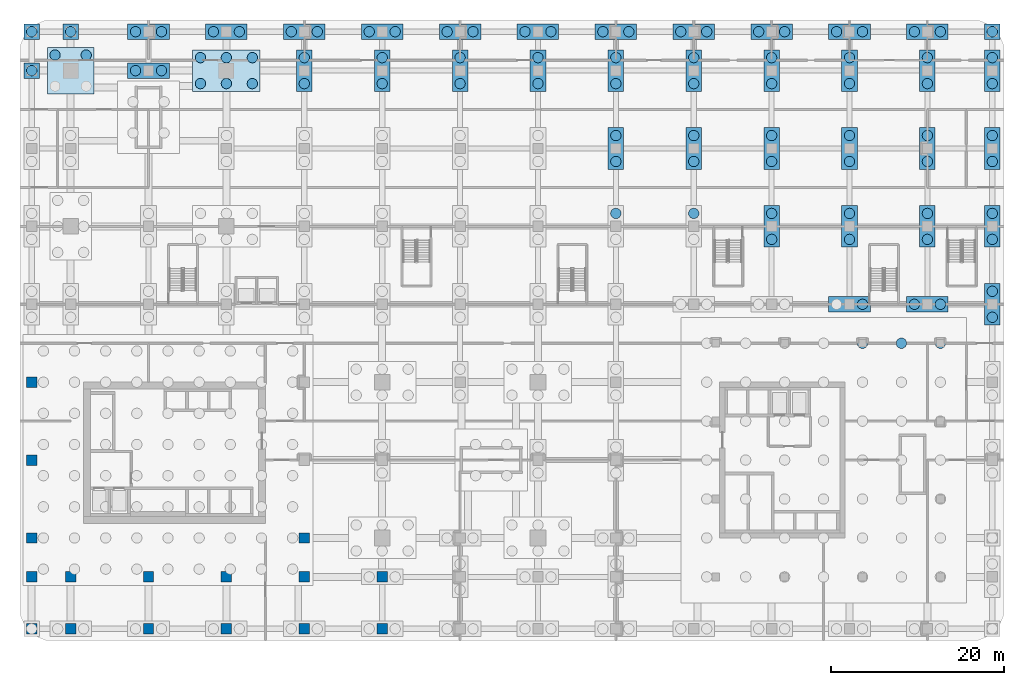
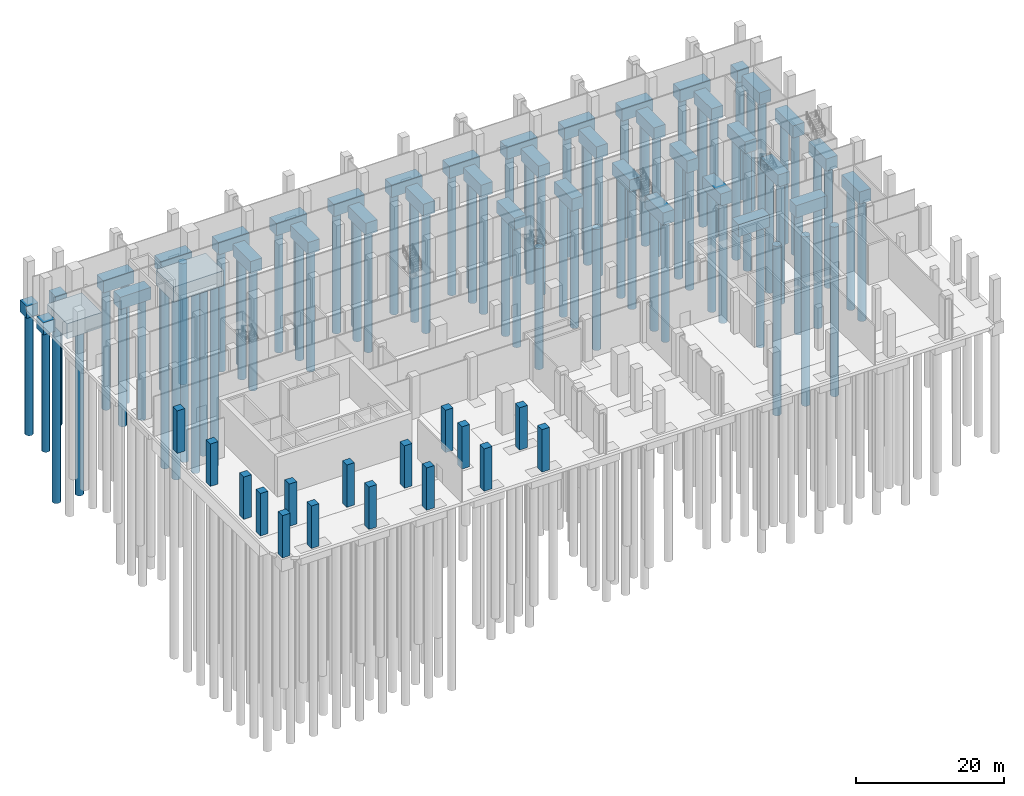
# One storey, part 3 of 23: 86 piles, 41 footings, 16 columns.
"""IFC4 building model written with IfcOpenShell, lengths in metres."""

from ifc_helpers import new_model, si_unit, direction, frame, origin, origin_2d, place, context, subcontext, project, spatial, polyline, rectangle, circle, outline, extrude, material, material_profile, profile_set, type_object, element, save


model = new_model("IFC4")

# Units and contexts
model_context = context("Model", 3, precision=1e-05, world=origin(), true_north=direction((0.0, 1.0)))
body_context = subcontext(model_context, "Body", "Model", "MODEL_VIEW")
ifc_project = project(units=[si_unit("LENGTHUNIT", "METRE"), si_unit("AREAUNIT", "SQUARE_METRE"), si_unit("VOLUMEUNIT", "CUBIC_METRE"), si_unit("PLANEANGLEUNIT", "RADIAN"), si_unit("MASSUNIT", "GRAM", prefix="KILO")], contexts=[model_context])

# Site, building, storey
site_placement = place(None, origin())
site = spatial("IfcSite", under=ifc_project, at=site_placement, CompositionType="ELEMENT")
building_placement = place(site_placement, origin())
building = spatial("IfcBuilding", under=site, at=building_placement, Name="Plateau Cross Towers", CompositionType="ELEMENT")
storey_placement = place(building_placement, frame((0.0, 0.0, -7.0)))
storey = spatial("IfcBuildingStorey", under=building, at=storey_placement, Name="B1", CompositionType="ELEMENT", Elevation=-7.0)

# Piles
ifc_material_1 = material(Name="Concrete C40/50", Category="concrete")
ifc_material_profile_1 = material_profile(ifc_material_1, circle(Radius=0.60009765625, at=origin_2d()), Name="Bored pile D1200")
ifc_profile_set_1 = profile_set([ifc_material_profile_1], Name="Concrete C40/50")
pile_type = type_object("IfcPileType", Name="Bored pile D1200", PredefinedType="BORED", material=ifc_profile_set_1)
for number, where, z_axis, x_axis, name in (
    (1, (91.5, 22.5, -2.300048828125), (0.0, 0.0, -1.0), (1.0, 0.0, 0.0), "RAFT-B pile 35"),
    (2, (96.0, 22.5, -2.300048828125), (0.0, 0.0, -1.0), (1.0, 0.0, 0.0), "RAFT-B pile 42"),
    (3, (100.5, 22.5, -2.300048828125), (0.0, 0.0, -1.0), (1.0, 0.0, 0.0), "RAFT-B pile 49"),
):
    element("IfcPile", number, at=place(storey_placement, frame(where, z_axis=z_axis, x_axis=x_axis)), inside=storey, type_object=pile_type, Name=name, PredefinedType="BORED", context=body_context, shape_type="SweptSolid", body=[
        extrude(circle(Radius=0.60009765625, at=origin_2d()), origin(), (0.0, 0.0, 1.0), 28.0),
    ])
for number, where, z_axis, x_axis, name in (
    (4, (-1.800048828125, 55.800048828125, -2.300048828125), (0.0, 0.0, -1.0), (1.0, 0.0, 0.0), "CAP-P-C0_540 pile 2"),
    (5, (1.800048828125, 55.800048828125, -2.300048828125), (0.0, 0.0, -1.0), (1.0, 0.0, 0.0), "CAP-P-C0_540 pile 4"),
    (6, (15.0, 52.5, -2.300048828125), (0.0, 0.0, -1.0), (1.0, 0.0, 0.0), "CAP-P-C180_540 pile 1"),
    (7, (15.0, 55.5, -2.300048828125), (0.0, 0.0, -1.0), (1.0, 0.0, 0.0), "CAP-P-C180_540 pile 2"),
    (8, (18.0, 52.5, -2.300048828125), (0.0, 0.0, -1.0), (1.0, 0.0, 0.0), "CAP-P-C180_540 pile 3"),
    (9, (18.0, 55.5, -2.300048828125), (0.0, 0.0, -1.0), (1.0, 0.0, 0.0), "CAP-P-C180_540 pile 4"),
    (10, (21.0, 52.5, -2.300048828125), (0.0, 0.0, -1.0), (1.0, 0.0, 0.0), "CAP-P-C180_540 pile 5"),
    (11, (21.0, 55.5, -2.300048828125), (0.0, 0.0, -1.0), (1.0, 0.0, 0.0), "CAP-P-C180_540 pile 6"),
):
    element("IfcPile", number, at=place(storey_placement, frame(where, z_axis=z_axis, x_axis=x_axis)), inside=storey, type_object=pile_type, Name=name, PredefinedType="BORED", context=body_context, shape_type="SweptSolid", body=[
        extrude(circle(Radius=0.60009765625, at=origin_2d()), origin(), (0.0, 0.0, 1.0), 30.0),
    ])
for number, where, z_axis, x_axis, name in (
    (12, (-4.5, 54.0, -1.800048828125), (0.0, 0.0, -1.0), (1.0, 0.0, 0.0), "CAP-P-C-45_540 pile 1"),
    (13, (-4.5, 58.5, -1.800048828125), (0.0, 0.0, -1.0), (1.0, 0.0, 0.0), "CAP-P-C-45_585 pile 1"),
    (14, (0.0, 58.5, -1.800048828125), (0.0, 0.0, -1.0), (1.0, 0.0, 0.0), "CAP-P-C0_585 pile 1"),
    (15, (7.5, 54.0, -1.800048828125), (0.0, 0.0, -1.0), (1.0, 0.0, 0.0), "CAP-P-C90_540 pile 1"),
    (16, (10.5, 54.0, -1.800048828125), (0.0, 0.0, -1.0), (1.0, 0.0, 0.0), "CAP-P-C90_540 pile 2"),
    (17, (7.5, 58.5, -1.800048828125), (0.0, 0.0, -1.0), (1.0, 0.0, 0.0), "CAP-P-C90_585 pile 1"),
    (18, (10.5, 58.5, -1.800048828125), (0.0, 0.0, -1.0), (1.0, 0.0, 0.0), "CAP-P-C90_585 pile 2"),
    (19, (16.5, 58.5, -1.800048828125), (0.0, 0.0, -1.0), (1.0, 0.0, 0.0), "CAP-P-C180_585 pile 1"),
    (20, (19.5, 58.5, -1.800048828125), (0.0, 0.0, -1.0), (1.0, 0.0, 0.0), "CAP-P-C180_585 pile 2"),
    (21, (27.0, 52.5, -1.800048828125), (0.0, 0.0, -1.0), (1.0, 0.0, 0.0), "CAP-P-C270_540 pile 1"),
    (22, (27.0, 55.5, -1.800048828125), (0.0, 0.0, -1.0), (1.0, 0.0, 0.0), "CAP-P-C270_540 pile 2"),
    (23, (25.5, 58.5, -1.800048828125), (0.0, 0.0, -1.0), (1.0, 0.0, 0.0), "CAP-P-C270_585 pile 1"),
    (24, (28.5, 58.5, -1.800048828125), (0.0, 0.0, -1.0), (1.0, 0.0, 0.0), "CAP-P-C270_585 pile 2"),
    (25, (36.0, 52.5, -1.800048828125), (0.0, 0.0, -1.0), (1.0, 0.0, 0.0), "CAP-P-C360_540 pile 1"),
    (26, (36.0, 55.5, -1.800048828125), (0.0, 0.0, -1.0), (1.0, 0.0, 0.0), "CAP-P-C360_540 pile 2"),
    (27, (34.5, 58.5, -1.800048828125), (0.0, 0.0, -1.0), (1.0, 0.0, 0.0), "CAP-P-C360_585 pile 1"),
    (28, (37.5, 58.5, -1.800048828125), (0.0, 0.0, -1.0), (1.0, 0.0, 0.0), "CAP-P-C360_585 pile 2"),
    (29, (45.0, 52.5, -1.800048828125), (0.0, 0.0, -1.0), (1.0, 0.0, 0.0), "CAP-P-C450_540 pile 1"),
    (30, (45.0, 55.5, -1.800048828125), (0.0, 0.0, -1.0), (1.0, 0.0, 0.0), "CAP-P-C450_540 pile 2"),
    (31, (43.5, 58.5, -1.800048828125), (0.0, 0.0, -1.0), (1.0, 0.0, 0.0), "CAP-P-C450_585 pile 1"),
    (32, (46.5, 58.5, -1.800048828125), (0.0, 0.0, -1.0), (1.0, 0.0, 0.0), "CAP-P-C450_585 pile 2"),
    (33, (54.0, 52.5, -1.800048828125), (0.0, 0.0, -1.0), (1.0, 0.0, 0.0), "CAP-P-C540_540 pile 1"),
    (34, (54.0, 55.5, -1.800048828125), (0.0, 0.0, -1.0), (1.0, 0.0, 0.0), "CAP-P-C540_540 pile 2"),
    (35, (52.5, 58.5, -1.800048828125), (0.0, 0.0, -1.0), (1.0, 0.0, 0.0), "CAP-P-C540_585 pile 1"),
    (36, (55.5, 58.5, -1.800048828125), (0.0, 0.0, -1.0), (1.0, 0.0, 0.0), "CAP-P-C540_585 pile 2"),
    (37, (63.0, 37.5, -1.800048828125), (0.0, 0.0, -1.0), (1.0, 0.0, 0.0), "CAP-P-C630_360 pile 2"),
    (38, (63.0, 43.5, -1.800048828125), (0.0, 0.0, -1.0), (1.0, 0.0, 0.0), "CAP-P-C630_450 pile 1"),
    (39, (63.0, 46.5, -1.800048828125), (0.0, 0.0, -1.0), (1.0, 0.0, 0.0), "CAP-P-C630_450 pile 2"),
    (40, (63.0, 52.5, -1.800048828125), (0.0, 0.0, -1.0), (1.0, 0.0, 0.0), "CAP-P-C630_540 pile 1"),
    (41, (63.0, 55.5, -1.800048828125), (0.0, 0.0, -1.0), (1.0, 0.0, 0.0), "CAP-P-C630_540 pile 2"),
    (42, (61.5, 58.5, -1.800048828125), (0.0, 0.0, -1.0), (1.0, 0.0, 0.0), "CAP-P-C630_585 pile 1"),
    (43, (64.5, 58.5, -1.800048828125), (0.0, 0.0, -1.0), (1.0, 0.0, 0.0), "CAP-P-C630_585 pile 2"),
    (44, (72.0, 37.5, -1.800048828125), (0.0, 0.0, -1.0), (1.0, 0.0, 0.0), "CAP-P-C720_360 pile 2"),
    (45, (72.0, 43.5, -1.800048828125), (0.0, 0.0, -1.0), (1.0, 0.0, 0.0), "CAP-P-C720_450 pile 1"),
    (46, (72.0, 46.5, -1.800048828125), (0.0, 0.0, -1.0), (1.0, 0.0, 0.0), "CAP-P-C720_450 pile 2"),
    (47, (72.0, 52.5, -1.800048828125), (0.0, 0.0, -1.0), (1.0, 0.0, 0.0), "CAP-P-C720_540 pile 1"),
    (48, (72.0, 55.5, -1.800048828125), (0.0, 0.0, -1.0), (1.0, 0.0, 0.0), "CAP-P-C720_540 pile 2"),
    (49, (70.5, 58.5, -1.800048828125), (0.0, 0.0, -1.0), (1.0, 0.0, 0.0), "CAP-P-C720_585 pile 1"),
    (50, (73.5, 58.5, -1.800048828125), (0.0, 0.0, -1.0), (1.0, 0.0, 0.0), "CAP-P-C720_585 pile 2"),
    (51, (81.0, 34.5, -1.800048828125), (0.0, 0.0, -1.0), (1.0, 0.0, 0.0), "CAP-P-C810_360 pile 1"),
    (52, (81.0, 37.5, -1.800048828125), (0.0, 0.0, -1.0), (1.0, 0.0, 0.0), "CAP-P-C810_360 pile 2"),
    (53, (81.0, 43.5, -1.800048828125), (0.0, 0.0, -1.0), (1.0, 0.0, 0.0), "CAP-P-C810_450 pile 1"),
    (54, (81.0, 46.5, -1.800048828125), (0.0, 0.0, -1.0), (1.0, 0.0, 0.0), "CAP-P-C810_450 pile 2"),
    (55, (81.0, 52.5, -1.800048828125), (0.0, 0.0, -1.0), (1.0, 0.0, 0.0), "CAP-P-C810_540 pile 1"),
    (56, (81.0, 55.5, -1.800048828125), (0.0, 0.0, -1.0), (1.0, 0.0, 0.0), "CAP-P-C810_540 pile 2"),
    (57, (79.5, 58.5, -1.800048828125), (0.0, 0.0, -1.0), (1.0, 0.0, 0.0), "CAP-P-C810_585 pile 1"),
    (58, (82.5, 58.5, -1.800048828125), (0.0, 0.0, -1.0), (1.0, 0.0, 0.0), "CAP-P-C810_585 pile 2"),
    (59, (91.5, 27.0, -1.800048828125), (0.0, 0.0, -1.0), (1.0, 0.0, 0.0), "CAP-P-C900_270 pile 2"),
    (60, (90.0, 34.5, -1.800048828125), (0.0, 0.0, -1.0), (1.0, 0.0, 0.0), "CAP-P-C900_360 pile 1"),
    (61, (90.0, 37.5, -1.800048828125), (0.0, 0.0, -1.0), (1.0, 0.0, 0.0), "CAP-P-C900_360 pile 2"),
    (62, (90.0, 43.5, -1.800048828125), (0.0, 0.0, -1.0), (1.0, 0.0, 0.0), "CAP-P-C900_450 pile 1"),
    (63, (90.0, 46.5, -1.800048828125), (0.0, 0.0, -1.0), (1.0, 0.0, 0.0), "CAP-P-C900_450 pile 2"),
    (64, (90.0, 52.5, -1.800048828125), (0.0, 0.0, -1.0), (1.0, 0.0, 0.0), "CAP-P-C900_540 pile 1"),
    (65, (90.0, 55.5, -1.800048828125), (0.0, 0.0, -1.0), (1.0, 0.0, 0.0), "CAP-P-C900_540 pile 2"),
    (66, (88.5, 58.5, -1.800048828125), (0.0, 0.0, -1.0), (1.0, 0.0, 0.0), "CAP-P-C900_585 pile 1"),
    (67, (91.5, 58.5, -1.800048828125), (0.0, 0.0, -1.0), (1.0, 0.0, 0.0), "CAP-P-C900_585 pile 2"),
    (68, (97.5, 27.0, -1.800048828125), (0.0, 0.0, -1.0), (1.0, 0.0, 0.0), "CAP-P-C990_270 pile 1"),
    (69, (100.5, 27.0, -1.800048828125), (0.0, 0.0, -1.0), (1.0, 0.0, 0.0), "CAP-P-C990_270 pile 2"),
    (70, (99.0, 34.5, -1.800048828125), (0.0, 0.0, -1.0), (1.0, 0.0, 0.0), "CAP-P-C990_360 pile 1"),
    (71, (99.0, 37.5, -1.800048828125), (0.0, 0.0, -1.0), (1.0, 0.0, 0.0), "CAP-P-C990_360 pile 2"),
    (72, (99.0, 43.5, -1.800048828125), (0.0, 0.0, -1.0), (1.0, 0.0, 0.0), "CAP-P-C990_450 pile 1"),
    (73, (99.0, 46.5, -1.800048828125), (0.0, 0.0, -1.0), (1.0, 0.0, 0.0), "CAP-P-C990_450 pile 2"),
    (74, (99.0, 52.5, -1.800048828125), (0.0, 0.0, -1.0), (1.0, 0.0, 0.0), "CAP-P-C990_540 pile 1"),
    (75, (99.0, 55.5, -1.800048828125), (0.0, 0.0, -1.0), (1.0, 0.0, 0.0), "CAP-P-C990_540 pile 2"),
    (76, (97.5, 58.5, -1.800048828125), (0.0, 0.0, -1.0), (1.0, 0.0, 0.0), "CAP-P-C990_585 pile 1"),
    (77, (100.5, 58.5, -1.800048828125), (0.0, 0.0, -1.0), (1.0, 0.0, 0.0), "CAP-P-C990_585 pile 2"),
    (78, (106.5, 25.5, -1.800048828125), (0.0, 0.0, -1.0), (1.0, 0.0, 0.0), "CAP-P-C1065_270 pile 1"),
    (79, (106.5, 28.5, -1.800048828125), (0.0, 0.0, -1.0), (1.0, 0.0, 0.0), "CAP-P-C1065_270 pile 2"),
    (80, (106.5, 34.5, -1.800048828125), (0.0, 0.0, -1.0), (1.0, 0.0, 0.0), "CAP-P-C1065_360 pile 1"),
    (81, (106.5, 37.5, -1.800048828125), (0.0, 0.0, -1.0), (1.0, 0.0, 0.0), "CAP-P-C1065_360 pile 2"),
    (82, (106.5, 43.5, -1.800048828125), (0.0, 0.0, -1.0), (1.0, 0.0, 0.0), "CAP-P-C1065_450 pile 1"),
    (83, (106.5, 46.5, -1.800048828125), (0.0, 0.0, -1.0), (1.0, 0.0, 0.0), "CAP-P-C1065_450 pile 2"),
    (84, (106.5, 52.5, -1.800048828125), (0.0, 0.0, -1.0), (1.0, 0.0, 0.0), "CAP-P-C1065_540 pile 1"),
    (85, (106.5, 55.5, -1.800048828125), (0.0, 0.0, -1.0), (1.0, 0.0, 0.0), "CAP-P-C1065_540 pile 2"),
    (86, (106.5, 58.5, -1.800048828125), (0.0, 0.0, -1.0), (1.0, 0.0, 0.0), "CAP-P-C1065_585 pile 1"),
):
    element("IfcPile", number, at=place(storey_placement, frame(where, z_axis=z_axis, x_axis=x_axis)), inside=storey, type_object=pile_type, Name=name, PredefinedType="BORED", context=body_context, shape_type="SweptSolid", body=[
        extrude(circle(Radius=0.60009765625, at=origin_2d()), origin(), (0.0, 0.0, 1.0), 20.0),
    ])

# Footings
footing_type_1 = type_object("IfcFootingType", Name="Pile cap 1800x1800x2000", PredefinedType="PILE_CAP", material=ifc_material_1)
footing_1_placement = place(storey_placement, frame((0.0, 0.0, -2.0)))
element("IfcFooting", 87, at=footing_1_placement, inside=storey, type_object=footing_type_1, Name="CAP-P-C-45_540", PredefinedType="PILE_CAP", context=body_context, shape_type="SweptSolid", body=[
    extrude(outline(polyline([(-3.60009765625, 53.10009765625), (-3.60009765625, 54.89990234375), (-5.39990234375, 54.89990234375), (-5.39990234375, 53.10009765625), (-3.60009765625, 53.10009765625)])), origin(), (0.0, 0.0, 1.0), 2.0),
])
footing_2_placement = place(storey_placement, frame((0.0, 0.0, -2.0)))
element("IfcFooting", 88, at=footing_2_placement, inside=storey, type_object=footing_type_1, Name="CAP-P-C-45_585", PredefinedType="PILE_CAP", context=body_context, shape_type="SweptSolid", body=[
    extrude(outline(polyline([(-3.60009765625, 57.60009765625), (-3.60009765625, 59.39990234375), (-5.39990234375, 59.39990234375), (-5.39990234375, 57.60009765625), (-3.60009765625, 57.60009765625)])), origin(), (0.0, 0.0, 1.0), 2.0),
])
footing_3_placement = place(storey_placement, frame((0.0, 0.0, -2.0)))
element("IfcFooting", 89, at=footing_3_placement, inside=storey, type_object=footing_type_1, Name="CAP-P-C0_585", PredefinedType="PILE_CAP", context=body_context, shape_type="SweptSolid", body=[
    extrude(outline(polyline([(0.89990234375, 57.60009765625), (0.89990234375, 59.39990234375), (-0.89990234375, 59.39990234375), (-0.89990234375, 57.60009765625), (0.89990234375, 57.60009765625)])), origin(), (0.0, 0.0, 1.0), 2.0),
])
footing_4_placement = place(storey_placement, frame((0.0, 0.0, -2.0)))
element("IfcFooting", 90, at=footing_4_placement, inside=storey, type_object=footing_type_1, Name="CAP-P-C1065_585", PredefinedType="PILE_CAP", context=body_context, shape_type="SweptSolid", body=[
    extrude(outline(polyline([(107.39990234375, 57.60009765625), (107.39990234375, 59.39990234375), (105.60009765625, 59.39990234375), (105.60009765625, 57.60009765625), (107.39990234375, 57.60009765625)])), origin(), (0.0, 0.0, 1.0), 2.0),
])
footing_type_2 = type_object("IfcFootingType", Name="Pile cap 1800x4800x2000", PredefinedType="PILE_CAP", material=ifc_material_1)
footing_5_placement = place(storey_placement, frame((0.0, 0.0, -2.0)))
element("IfcFooting", 91, at=footing_5_placement, inside=storey, type_object=footing_type_2, Name="CAP-P-C270_540", PredefinedType="PILE_CAP", context=body_context, shape_type="SweptSolid", body=[
    extrude(outline(polyline([(27.89990234375, 51.60009765625), (27.89990234375, 56.39990234375), (26.10009765625, 56.39990234375), (26.10009765625, 51.60009765625), (27.89990234375, 51.60009765625)])), origin(), (0.0, 0.0, 1.0), 2.0),
])
footing_6_placement = place(storey_placement, frame((0.0, 0.0, -2.0)))
element("IfcFooting", 92, at=footing_6_placement, inside=storey, type_object=footing_type_2, Name="CAP-P-C360_540", PredefinedType="PILE_CAP", context=body_context, shape_type="SweptSolid", body=[
    extrude(outline(polyline([(36.89990234375, 51.60009765625), (36.89990234375, 56.39990234375), (35.10009765625, 56.39990234375), (35.10009765625, 51.60009765625), (36.89990234375, 51.60009765625)])), origin(), (0.0, 0.0, 1.0), 2.0),
])
footing_7_placement = place(storey_placement, frame((0.0, 0.0, -2.0)))
element("IfcFooting", 93, at=footing_7_placement, inside=storey, type_object=footing_type_2, Name="CAP-P-C450_540", PredefinedType="PILE_CAP", context=body_context, shape_type="SweptSolid", body=[
    extrude(outline(polyline([(45.89990234375, 51.60009765625), (45.89990234375, 56.39990234375), (44.10009765625, 56.39990234375), (44.10009765625, 51.60009765625), (45.89990234375, 51.60009765625)])), origin(), (0.0, 0.0, 1.0), 2.0),
])
footing_8_placement = place(storey_placement, frame((0.0, 0.0, -2.0)))
element("IfcFooting", 94, at=footing_8_placement, inside=storey, type_object=footing_type_2, Name="CAP-P-C540_540", PredefinedType="PILE_CAP", context=body_context, shape_type="SweptSolid", body=[
    extrude(outline(polyline([(54.89990234375, 51.60009765625), (54.89990234375, 56.39990234375), (53.10009765625, 56.39990234375), (53.10009765625, 51.60009765625), (54.89990234375, 51.60009765625)])), origin(), (0.0, 0.0, 1.0), 2.0),
])
footing_9_placement = place(storey_placement, frame((0.0, 0.0, -2.0)))
element("IfcFooting", 95, at=footing_9_placement, inside=storey, type_object=footing_type_2, Name="CAP-P-C630_450", PredefinedType="PILE_CAP", context=body_context, shape_type="SweptSolid", body=[
    extrude(outline(polyline([(63.89990234375, 42.60009765625), (63.89990234375, 47.39990234375), (62.10009765625, 47.39990234375), (62.10009765625, 42.60009765625), (63.89990234375, 42.60009765625)])), origin(), (0.0, 0.0, 1.0), 2.0),
])
footing_10_placement = place(storey_placement, frame((0.0, 0.0, -2.0)))
element("IfcFooting", 96, at=footing_10_placement, inside=storey, type_object=footing_type_2, Name="CAP-P-C630_540", PredefinedType="PILE_CAP", context=body_context, shape_type="SweptSolid", body=[
    extrude(outline(polyline([(63.89990234375, 51.60009765625), (63.89990234375, 56.39990234375), (62.10009765625, 56.39990234375), (62.10009765625, 51.60009765625), (63.89990234375, 51.60009765625)])), origin(), (0.0, 0.0, 1.0), 2.0),
])
footing_11_placement = place(storey_placement, frame((0.0, 0.0, -2.0)))
element("IfcFooting", 97, at=footing_11_placement, inside=storey, type_object=footing_type_2, Name="CAP-P-C720_450", PredefinedType="PILE_CAP", context=body_context, shape_type="SweptSolid", body=[
    extrude(outline(polyline([(72.89990234375, 42.60009765625), (72.89990234375, 47.39990234375), (71.10009765625, 47.39990234375), (71.10009765625, 42.60009765625), (72.89990234375, 42.60009765625)])), origin(), (0.0, 0.0, 1.0), 2.0),
])
footing_12_placement = place(storey_placement, frame((0.0, 0.0, -2.0)))
element("IfcFooting", 98, at=footing_12_placement, inside=storey, type_object=footing_type_2, Name="CAP-P-C720_540", PredefinedType="PILE_CAP", context=body_context, shape_type="SweptSolid", body=[
    extrude(outline(polyline([(72.89990234375, 51.60009765625), (72.89990234375, 56.39990234375), (71.10009765625, 56.39990234375), (71.10009765625, 51.60009765625), (72.89990234375, 51.60009765625)])), origin(), (0.0, 0.0, 1.0), 2.0),
])
footing_13_placement = place(storey_placement, frame((0.0, 0.0, -2.0)))
element("IfcFooting", 99, at=footing_13_placement, inside=storey, type_object=footing_type_2, Name="CAP-P-C810_360", PredefinedType="PILE_CAP", context=body_context, shape_type="SweptSolid", body=[
    extrude(outline(polyline([(81.89990234375, 33.60009765625), (81.89990234375, 38.39990234375), (80.10009765625, 38.39990234375), (80.10009765625, 33.60009765625), (81.89990234375, 33.60009765625)])), origin(), (0.0, 0.0, 1.0), 2.0),
])
footing_14_placement = place(storey_placement, frame((0.0, 0.0, -2.0)))
element("IfcFooting", 100, at=footing_14_placement, inside=storey, type_object=footing_type_2, Name="CAP-P-C810_450", PredefinedType="PILE_CAP", context=body_context, shape_type="SweptSolid", body=[
    extrude(outline(polyline([(81.89990234375, 42.60009765625), (81.89990234375, 47.39990234375), (80.10009765625, 47.39990234375), (80.10009765625, 42.60009765625), (81.89990234375, 42.60009765625)])), origin(), (0.0, 0.0, 1.0), 2.0),
])
footing_15_placement = place(storey_placement, frame((0.0, 0.0, -2.0)))
element("IfcFooting", 101, at=footing_15_placement, inside=storey, type_object=footing_type_2, Name="CAP-P-C810_540", PredefinedType="PILE_CAP", context=body_context, shape_type="SweptSolid", body=[
    extrude(outline(polyline([(81.89990234375, 51.60009765625), (81.89990234375, 56.39990234375), (80.10009765625, 56.39990234375), (80.10009765625, 51.60009765625), (81.89990234375, 51.60009765625)])), origin(), (0.0, 0.0, 1.0), 2.0),
])
footing_16_placement = place(storey_placement, frame((0.0, 0.0, -2.0)))
element("IfcFooting", 102, at=footing_16_placement, inside=storey, type_object=footing_type_2, Name="CAP-P-C900_360", PredefinedType="PILE_CAP", context=body_context, shape_type="SweptSolid", body=[
    extrude(outline(polyline([(90.89990234375, 33.60009765625), (90.89990234375, 38.39990234375), (89.10009765625, 38.39990234375), (89.10009765625, 33.60009765625), (90.89990234375, 33.60009765625)])), origin(), (0.0, 0.0, 1.0), 2.0),
])
footing_17_placement = place(storey_placement, frame((0.0, 0.0, -2.0)))
element("IfcFooting", 103, at=footing_17_placement, inside=storey, type_object=footing_type_2, Name="CAP-P-C900_450", PredefinedType="PILE_CAP", context=body_context, shape_type="SweptSolid", body=[
    extrude(outline(polyline([(90.89990234375, 42.60009765625), (90.89990234375, 47.39990234375), (89.10009765625, 47.39990234375), (89.10009765625, 42.60009765625), (90.89990234375, 42.60009765625)])), origin(), (0.0, 0.0, 1.0), 2.0),
])
footing_18_placement = place(storey_placement, frame((0.0, 0.0, -2.0)))
element("IfcFooting", 104, at=footing_18_placement, inside=storey, type_object=footing_type_2, Name="CAP-P-C900_540", PredefinedType="PILE_CAP", context=body_context, shape_type="SweptSolid", body=[
    extrude(outline(polyline([(90.89990234375, 51.60009765625), (90.89990234375, 56.39990234375), (89.10009765625, 56.39990234375), (89.10009765625, 51.60009765625), (90.89990234375, 51.60009765625)])), origin(), (0.0, 0.0, 1.0), 2.0),
])
footing_19_placement = place(storey_placement, frame((0.0, 0.0, -2.0)))
element("IfcFooting", 105, at=footing_19_placement, inside=storey, type_object=footing_type_2, Name="CAP-P-C990_360", PredefinedType="PILE_CAP", context=body_context, shape_type="SweptSolid", body=[
    extrude(outline(polyline([(99.89990234375, 33.60009765625), (99.89990234375, 38.39990234375), (98.10009765625, 38.39990234375), (98.10009765625, 33.60009765625), (99.89990234375, 33.60009765625)])), origin(), (0.0, 0.0, 1.0), 2.0),
])
footing_20_placement = place(storey_placement, frame((0.0, 0.0, -2.0)))
element("IfcFooting", 106, at=footing_20_placement, inside=storey, type_object=footing_type_2, Name="CAP-P-C990_450", PredefinedType="PILE_CAP", context=body_context, shape_type="SweptSolid", body=[
    extrude(outline(polyline([(99.89990234375, 42.60009765625), (99.89990234375, 47.39990234375), (98.10009765625, 47.39990234375), (98.10009765625, 42.60009765625), (99.89990234375, 42.60009765625)])), origin(), (0.0, 0.0, 1.0), 2.0),
])
footing_21_placement = place(storey_placement, frame((0.0, 0.0, -2.0)))
element("IfcFooting", 107, at=footing_21_placement, inside=storey, type_object=footing_type_2, Name="CAP-P-C990_540", PredefinedType="PILE_CAP", context=body_context, shape_type="SweptSolid", body=[
    extrude(outline(polyline([(99.89990234375, 51.60009765625), (99.89990234375, 56.39990234375), (98.10009765625, 56.39990234375), (98.10009765625, 51.60009765625), (99.89990234375, 51.60009765625)])), origin(), (0.0, 0.0, 1.0), 2.0),
])
footing_22_placement = place(storey_placement, frame((0.0, 0.0, -2.0)))
element("IfcFooting", 108, at=footing_22_placement, inside=storey, type_object=footing_type_2, Name="CAP-P-C1065_270", PredefinedType="PILE_CAP", context=body_context, shape_type="SweptSolid", body=[
    extrude(outline(polyline([(107.39990234375, 24.60009765625), (107.39990234375, 29.39990234375), (105.60009765625, 29.39990234375), (105.60009765625, 24.60009765625), (107.39990234375, 24.60009765625)])), origin(), (0.0, 0.0, 1.0), 2.0),
])
footing_23_placement = place(storey_placement, frame((0.0, 0.0, -2.0)))
element("IfcFooting", 109, at=footing_23_placement, inside=storey, type_object=footing_type_2, Name="CAP-P-C1065_360", PredefinedType="PILE_CAP", context=body_context, shape_type="SweptSolid", body=[
    extrude(outline(polyline([(107.39990234375, 33.60009765625), (107.39990234375, 38.39990234375), (105.60009765625, 38.39990234375), (105.60009765625, 33.60009765625), (107.39990234375, 33.60009765625)])), origin(), (0.0, 0.0, 1.0), 2.0),
])
footing_24_placement = place(storey_placement, frame((0.0, 0.0, -2.0)))
element("IfcFooting", 110, at=footing_24_placement, inside=storey, type_object=footing_type_2, Name="CAP-P-C1065_450", PredefinedType="PILE_CAP", context=body_context, shape_type="SweptSolid", body=[
    extrude(outline(polyline([(107.39990234375, 42.60009765625), (107.39990234375, 47.39990234375), (105.60009765625, 47.39990234375), (105.60009765625, 42.60009765625), (107.39990234375, 42.60009765625)])), origin(), (0.0, 0.0, 1.0), 2.0),
])
footing_25_placement = place(storey_placement, frame((0.0, 0.0, -2.0)))
element("IfcFooting", 111, at=footing_25_placement, inside=storey, type_object=footing_type_2, Name="CAP-P-C1065_540", PredefinedType="PILE_CAP", context=body_context, shape_type="SweptSolid", body=[
    extrude(outline(polyline([(107.39990234375, 51.60009765625), (107.39990234375, 56.39990234375), (105.60009765625, 56.39990234375), (105.60009765625, 51.60009765625), (107.39990234375, 51.60009765625)])), origin(), (0.0, 0.0, 1.0), 2.0),
])
footing_type_3 = type_object("IfcFootingType", Name="Pile cap 4800x1800x2000", PredefinedType="PILE_CAP", material=ifc_material_1)
footing_26_placement = place(storey_placement, frame((0.0, 0.0, -2.0)))
element("IfcFooting", 112, at=footing_26_placement, inside=storey, type_object=footing_type_3, Name="CAP-P-C90_540", PredefinedType="PILE_CAP", context=body_context, shape_type="SweptSolid", body=[
    extrude(outline(polyline([(11.39990234375, 53.10009765625), (11.39990234375, 54.89990234375), (6.60009765625, 54.89990234375), (6.60009765625, 53.10009765625), (11.39990234375, 53.10009765625)])), origin(), (0.0, 0.0, 1.0), 2.0),
])
footing_27_placement = place(storey_placement, frame((0.0, 0.0, -2.0)))
element("IfcFooting", 113, at=footing_27_placement, inside=storey, type_object=footing_type_3, Name="CAP-P-C90_585", PredefinedType="PILE_CAP", context=body_context, shape_type="SweptSolid", body=[
    extrude(outline(polyline([(11.39990234375, 57.60009765625), (11.39990234375, 59.39990234375), (6.60009765625, 59.39990234375), (6.60009765625, 57.60009765625), (11.39990234375, 57.60009765625)])), origin(), (0.0, 0.0, 1.0), 2.0),
])
footing_28_placement = place(storey_placement, frame((0.0, 0.0, -2.0)))
element("IfcFooting", 114, at=footing_28_placement, inside=storey, type_object=footing_type_3, Name="CAP-P-C180_585", PredefinedType="PILE_CAP", context=body_context, shape_type="SweptSolid", body=[
    extrude(outline(polyline([(20.39990234375, 57.60009765625), (20.39990234375, 59.39990234375), (15.60009765625, 59.39990234375), (15.60009765625, 57.60009765625), (20.39990234375, 57.60009765625)])), origin(), (0.0, 0.0, 1.0), 2.0),
])
footing_29_placement = place(storey_placement, frame((0.0, 0.0, -2.0)))
element("IfcFooting", 115, at=footing_29_placement, inside=storey, type_object=footing_type_3, Name="CAP-P-C270_585", PredefinedType="PILE_CAP", context=body_context, shape_type="SweptSolid", body=[
    extrude(outline(polyline([(29.39990234375, 57.60009765625), (29.39990234375, 59.39990234375), (24.60009765625, 59.39990234375), (24.60009765625, 57.60009765625), (29.39990234375, 57.60009765625)])), origin(), (0.0, 0.0, 1.0), 2.0),
])
footing_30_placement = place(storey_placement, frame((0.0, 0.0, -2.0)))
element("IfcFooting", 116, at=footing_30_placement, inside=storey, type_object=footing_type_3, Name="CAP-P-C360_585", PredefinedType="PILE_CAP", context=body_context, shape_type="SweptSolid", body=[
    extrude(outline(polyline([(38.39990234375, 57.60009765625), (38.39990234375, 59.39990234375), (33.60009765625, 59.39990234375), (33.60009765625, 57.60009765625), (38.39990234375, 57.60009765625)])), origin(), (0.0, 0.0, 1.0), 2.0),
])
footing_31_placement = place(storey_placement, frame((0.0, 0.0, -2.0)))
element("IfcFooting", 117, at=footing_31_placement, inside=storey, type_object=footing_type_3, Name="CAP-P-C450_585", PredefinedType="PILE_CAP", context=body_context, shape_type="SweptSolid", body=[
    extrude(outline(polyline([(47.39990234375, 57.60009765625), (47.39990234375, 59.39990234375), (42.60009765625, 59.39990234375), (42.60009765625, 57.60009765625), (47.39990234375, 57.60009765625)])), origin(), (0.0, 0.0, 1.0), 2.0),
])
footing_32_placement = place(storey_placement, frame((0.0, 0.0, -2.0)))
element("IfcFooting", 118, at=footing_32_placement, inside=storey, type_object=footing_type_3, Name="CAP-P-C540_585", PredefinedType="PILE_CAP", context=body_context, shape_type="SweptSolid", body=[
    extrude(outline(polyline([(56.39990234375, 57.60009765625), (56.39990234375, 59.39990234375), (51.60009765625, 59.39990234375), (51.60009765625, 57.60009765625), (56.39990234375, 57.60009765625)])), origin(), (0.0, 0.0, 1.0), 2.0),
])
footing_33_placement = place(storey_placement, frame((0.0, 0.0, -2.0)))
element("IfcFooting", 119, at=footing_33_placement, inside=storey, type_object=footing_type_3, Name="CAP-P-C630_585", PredefinedType="PILE_CAP", context=body_context, shape_type="SweptSolid", body=[
    extrude(outline(polyline([(65.39990234375, 57.60009765625), (65.39990234375, 59.39990234375), (60.60009765625, 59.39990234375), (60.60009765625, 57.60009765625), (65.39990234375, 57.60009765625)])), origin(), (0.0, 0.0, 1.0), 2.0),
])
footing_34_placement = place(storey_placement, frame((0.0, 0.0, -2.0)))
element("IfcFooting", 120, at=footing_34_placement, inside=storey, type_object=footing_type_3, Name="CAP-P-C720_585", PredefinedType="PILE_CAP", context=body_context, shape_type="SweptSolid", body=[
    extrude(outline(polyline([(74.39990234375, 57.60009765625), (74.39990234375, 59.39990234375), (69.60009765625, 59.39990234375), (69.60009765625, 57.60009765625), (74.39990234375, 57.60009765625)])), origin(), (0.0, 0.0, 1.0), 2.0),
])
footing_35_placement = place(storey_placement, frame((0.0, 0.0, -2.0)))
element("IfcFooting", 121, at=footing_35_placement, inside=storey, type_object=footing_type_3, Name="CAP-P-C810_585", PredefinedType="PILE_CAP", context=body_context, shape_type="SweptSolid", body=[
    extrude(outline(polyline([(83.39990234375, 57.60009765625), (83.39990234375, 59.39990234375), (78.60009765625, 59.39990234375), (78.60009765625, 57.60009765625), (83.39990234375, 57.60009765625)])), origin(), (0.0, 0.0, 1.0), 2.0),
])
footing_36_placement = place(storey_placement, frame((0.0, 0.0, -2.0)))
element("IfcFooting", 122, at=footing_36_placement, inside=storey, type_object=footing_type_3, Name="CAP-P-C900_270", PredefinedType="PILE_CAP", context=body_context, shape_type="SweptSolid", body=[
    extrude(outline(polyline([(92.39990234375, 26.10009765625), (92.39990234375, 27.89990234375), (87.60009765625, 27.89990234375), (87.60009765625, 26.10009765625), (92.39990234375, 26.10009765625)])), origin(), (0.0, 0.0, 1.0), 2.0),
])
footing_37_placement = place(storey_placement, frame((0.0, 0.0, -2.0)))
element("IfcFooting", 123, at=footing_37_placement, inside=storey, type_object=footing_type_3, Name="CAP-P-C900_585", PredefinedType="PILE_CAP", context=body_context, shape_type="SweptSolid", body=[
    extrude(outline(polyline([(92.39990234375, 57.60009765625), (92.39990234375, 59.39990234375), (87.60009765625, 59.39990234375), (87.60009765625, 57.60009765625), (92.39990234375, 57.60009765625)])), origin(), (0.0, 0.0, 1.0), 2.0),
])
footing_38_placement = place(storey_placement, frame((0.0, 0.0, -2.0)))
element("IfcFooting", 124, at=footing_38_placement, inside=storey, type_object=footing_type_3, Name="CAP-P-C990_270", PredefinedType="PILE_CAP", context=body_context, shape_type="SweptSolid", body=[
    extrude(outline(polyline([(101.39990234375, 26.10009765625), (101.39990234375, 27.89990234375), (96.60009765625, 27.89990234375), (96.60009765625, 26.10009765625), (101.39990234375, 26.10009765625)])), origin(), (0.0, 0.0, 1.0), 2.0),
])
footing_39_placement = place(storey_placement, frame((0.0, 0.0, -2.0)))
element("IfcFooting", 125, at=footing_39_placement, inside=storey, type_object=footing_type_3, Name="CAP-P-C990_585", PredefinedType="PILE_CAP", context=body_context, shape_type="SweptSolid", body=[
    extrude(outline(polyline([(101.39990234375, 57.60009765625), (101.39990234375, 59.39990234375), (96.60009765625, 59.39990234375), (96.60009765625, 57.60009765625), (101.39990234375, 57.60009765625)])), origin(), (0.0, 0.0, 1.0), 2.0),
])
footing_type_4 = type_object("IfcFootingType", Name="Transfer column pile cap 5400x5400x2500", PredefinedType="PILE_CAP", material=ifc_material_1)
footing_40_placement = place(storey_placement, frame((0.0, 0.0, -2.5)))
element("IfcFooting", 126, at=footing_40_placement, inside=storey, type_object=footing_type_4, Name="CAP-P-C0_540", PredefinedType="PILE_CAP", context=body_context, shape_type="SweptSolid", body=[
    extrude(outline(polyline([(2.699951171875, 51.300048828125), (2.699951171875, 56.699951171875), (-2.699951171875, 56.699951171875), (-2.699951171875, 51.300048828125), (2.699951171875, 51.300048828125)])), origin(), (0.0, 0.0, 1.0), 2.5),
])
footing_type_5 = type_object("IfcFootingType", Name="Transfer column pile cap 7800x4800x2500", PredefinedType="PILE_CAP", material=ifc_material_1)
footing_41_placement = place(storey_placement, frame((0.0, 0.0, -2.5)))
element("IfcFooting", 127, at=footing_41_placement, inside=storey, type_object=footing_type_5, Name="CAP-P-C180_540", PredefinedType="PILE_CAP", context=body_context, shape_type="SweptSolid", body=[
    extrude(outline(polyline([(21.89990234375, 51.60009765625), (21.89990234375, 56.39990234375), (14.10009765625, 56.39990234375), (14.10009765625, 51.60009765625), (21.89990234375, 51.60009765625)])), origin(), (0.0, 0.0, 1.0), 2.5),
])

# Columns
ifc_material_2 = material(Name="Concrete C60/75", Category="concrete")
ifc_material_profile_2 = material_profile(ifc_material_2, rectangle(XDim=1.199951171875, YDim=1.199951171875, at=origin_2d()), Name="RC 1200x1200")
ifc_profile_set_2 = profile_set([ifc_material_profile_2], Name="Concrete C60/75")
column_type = type_object("IfcColumnType", Name="Podium column RC 1200x1200", PredefinedType="COLUMN", material=ifc_profile_set_2)
for number, where, z_axis, x_axis, name in (
    (128, (-4.5, -10.5, 0.0), (0.0, 0.0, 1.0), (1.0, 0.0, 0.0), "P-C-45_-105 B1"),
    (129, (-4.5, -4.5, 0.0), (0.0, 0.0, 1.0), (1.0, 0.0, 0.0), "P-C-45_-45 B1"),
    (130, (-4.5, 0.0, 0.0), (0.0, 0.0, 1.0), (1.0, 0.0, 0.0), "P-C-45_0 B1"),
    (131, (-4.5, 9.0, 0.0), (0.0, 0.0, 1.0), (1.0, 0.0, 0.0), "P-C-45_90 B1"),
    (132, (-4.5, 18.0, 0.0), (0.0, 0.0, 1.0), (1.0, 0.0, 0.0), "P-C-45_180 B1"),
    (133, (0.0, -10.5, 0.0), (0.0, 0.0, 1.0), (1.0, 0.0, 0.0), "P-C0_-105 B1"),
    (134, (0.0, -4.5, 0.0), (0.0, 0.0, 1.0), (1.0, 0.0, 0.0), "P-C0_-45 B1"),
    (135, (9.0, -10.5, 0.0), (0.0, 0.0, 1.0), (1.0, 0.0, 0.0), "P-C90_-105 B1"),
    (136, (9.0, -4.5, 0.0), (0.0, 0.0, 1.0), (1.0, 0.0, 0.0), "P-C90_-45 B1"),
    (137, (18.0, -10.5, 0.0), (0.0, 0.0, 1.0), (1.0, 0.0, 0.0), "P-C180_-105 B1"),
    (138, (18.0, -4.5, 0.0), (0.0, 0.0, 1.0), (1.0, 0.0, 0.0), "P-C180_-45 B1"),
    (139, (27.0, -10.5, 0.0), (0.0, 0.0, 1.0), (1.0, 0.0, 0.0), "P-C270_-105 B1"),
    (140, (27.0, -4.5, 0.0), (0.0, 0.0, 1.0), (1.0, 0.0, 0.0), "P-C270_-45 B1"),
    (141, (27.0, 0.0, 0.0), (0.0, 0.0, 1.0), (1.0, 0.0, 0.0), "P-C270_0 B1"),
    (142, (36.0, -10.5, 0.0), (0.0, 0.0, 1.0), (1.0, 0.0, 0.0), "P-C360_-105 B1"),
    (143, (36.0, -4.5, 0.0), (0.0, 0.0, 1.0), (1.0, 0.0, 0.0), "P-C360_-45 B1"),
):
    element("IfcColumn", number, at=place(storey_placement, frame(where, z_axis=z_axis, x_axis=x_axis)), inside=storey, type_object=column_type, Name=name, PredefinedType="COLUMN", context=body_context, shape_type="SweptSolid", body=[
        extrude(rectangle(XDim=1.199951171875, YDim=1.199951171875, at=origin_2d()), origin(), (0.0, 0.0, 1.0), 7.0),
    ])

save(model, "model.ifc")
